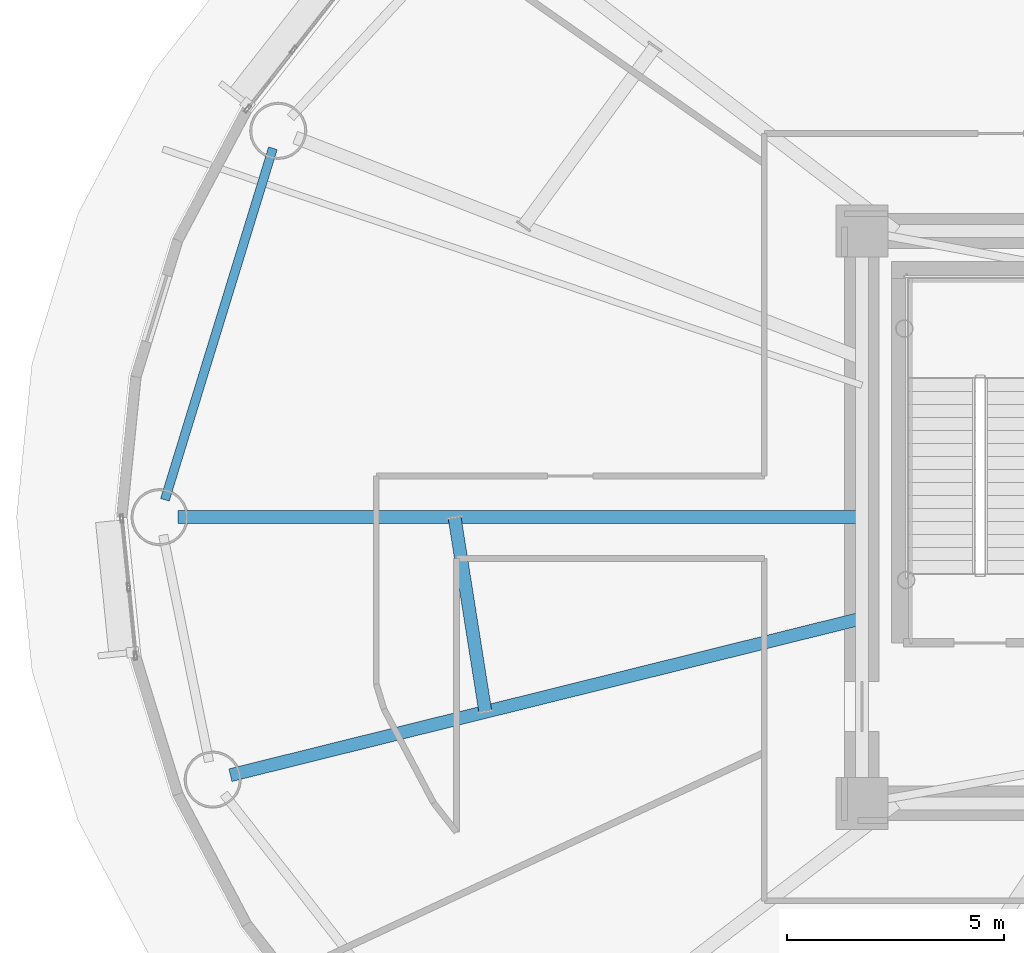
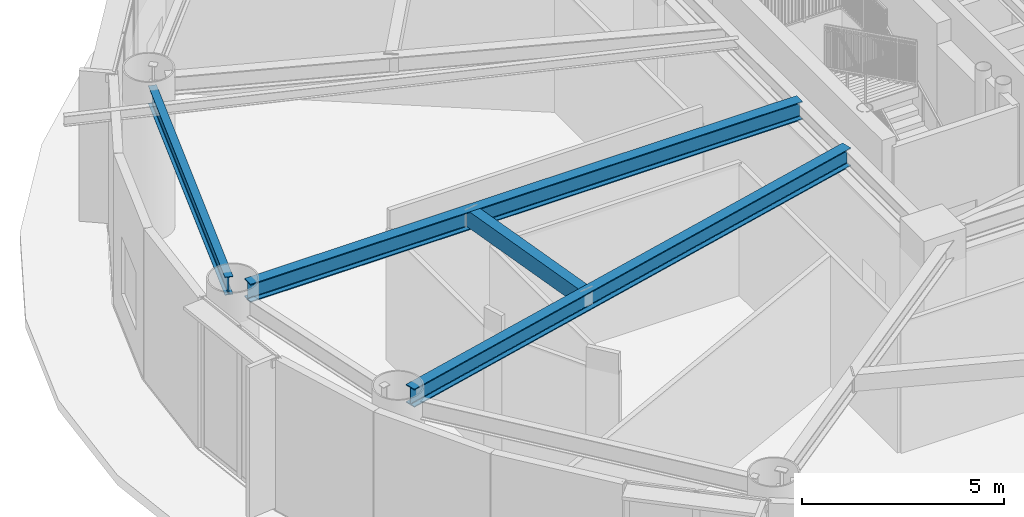
# One storey, part 9 of 38: 4 beams.
"""IFC4 building model written with IfcOpenShell, lengths in metres."""

from ifc_helpers import new_model, si_unit, direction, frame, origin, origin_2d, place, context, subcontext, project, spatial, hollow_rectangle, i_section, extrude, material, material_profile, profile_set, type_object, element, save


model = new_model("IFC4")

# Units and contexts
model_context = context("Model", 3, precision=1e-05, world=origin(), true_north=direction((0.0, 1.0)))
body_context = subcontext(model_context, "Body", "Model", "MODEL_VIEW")
ifc_project = project(units=[si_unit("LENGTHUNIT", "METRE"), si_unit("AREAUNIT", "SQUARE_METRE"), si_unit("VOLUMEUNIT", "CUBIC_METRE"), si_unit("PLANEANGLEUNIT", "RADIAN"), si_unit("MASSUNIT", "GRAM", prefix="KILO")], contexts=[model_context])

# Site, building, storey
site_placement = place(None, origin())
site = spatial("IfcSite", under=ifc_project, at=site_placement, CompositionType="ELEMENT")
building_placement = place(site_placement, origin())
building = spatial("IfcBuilding", under=site, at=building_placement, Name="Linh Dai School and Residence Tower", CompositionType="ELEMENT")
storey_placement = place(building_placement, frame((0.0, 0.0, 151.35009765625)))
storey = spatial("IfcBuildingStorey", under=building, at=storey_placement, Name="L36", CompositionType="ELEMENT", Elevation=151.35009765625)

# Beams
ifc_material = material(Name="Structural Steel S355JR", Category="steel")
ifc_material_profile_1 = material_profile(ifc_material, hollow_rectangle(XDim=0.300048828125, YDim=0.5, WallThickness=0.01611328125, at=origin_2d()), Name="RHS 500x300x16")
ifc_profile_set_1 = profile_set([ifc_material_profile_1], Name="Structural Steel S355JR")
beam_type_1 = type_object("IfcBeamType", Name="BM-BX5", PredefinedType="BEAM", material=ifc_profile_set_1)
beam_1_placement = place(storey_placement, frame((17.204833984375, 26.9951171875, 4.2998046875), z_axis=(0.15630517468, -0.987708809502, 0.0), x_axis=(0.987708809502, 0.15630517468, 0.0)))
element("IfcBeam", 1, at=beam_1_placement, inside=storey, type_object=beam_type_1, Name="L36 Secondary Circumferential Floor Beam 05", PredefinedType="BEAM", context=body_context, shape_type="SweptSolid", body=[
    extrude(hollow_rectangle(XDim=0.300048828125, YDim=0.5, WallThickness=0.01611328125, at=origin_2d()), origin(), (0.0, 0.0, 1.0), 4.537353515625),
])
ifc_material_profile_2 = material_profile(ifc_material, i_section(OverallWidth=0.2099609375, OverallDepth=0.550048828125, WebThickness=0.010986328125, FlangeThickness=0.01708984375, FilletRadius=0.02392578125, at=origin_2d()), Name="IPE 550")
ifc_profile_set_2 = profile_set([ifc_material_profile_2], Name="Structural Steel S355JR")
beam_type_2 = type_object("IfcBeamType", Name="BM-RB55", PredefinedType="BEAM", material=ifc_profile_set_2)
beam_2_placement = place(storey_placement, frame((13.01416015625, 35.509765625, 4.27490234375), z_axis=(-0.29363681283, -0.955917058196, 0.0), x_axis=(0.955917058196, -0.29363681283, 0.0)))
element("IfcBeam", 2, at=beam_2_placement, inside=storey, type_object=beam_type_2, Name="L36 Perimeter Elliptical Ring Beam 08", PredefinedType="BEAM", context=body_context, shape_type="SweptSolid", body=[
    extrude(i_section(OverallWidth=0.2099609375, OverallDepth=0.550048828125, WebThickness=0.010986328125, FlangeThickness=0.01708984375, FilletRadius=0.02392578125, at=origin_2d()), origin(), (0.0, 0.0, 1.0), 8.482421875),
])
ifc_material_profile_3 = material_profile(ifc_material, i_section(OverallWidth=0.300048828125, OverallDepth=0.550048828125, WebThickness=0.014892578125, FlangeThickness=0.029052734375, FilletRadius=0.027099609375, at=origin_2d()), Name="HEB 550")
ifc_profile_set_3 = profile_set([ifc_material_profile_3], Name="Structural Steel S355JR")
beam_type_3 = type_object("IfcBeamType", Name="BM-RG55", PredefinedType="BEAM", material=ifc_profile_set_3)
beam_3_placement = place(storey_placement, frame((26.60009765625, 27.0, 4.27490234375), z_axis=(-1.0, 0.0, 0.0), x_axis=(0.0, -1.0, 0.0)))
element("IfcBeam", 3, at=beam_3_placement, inside=storey, type_object=beam_type_3, Name="L36 Primary Radial Floor Girder 09", PredefinedType="BEAM", context=body_context, shape_type="SweptSolid", body=[
    extrude(i_section(OverallWidth=0.300048828125, OverallDepth=0.550048828125, WebThickness=0.014892578125, FlangeThickness=0.029052734375, FilletRadius=0.027099609375, at=origin_2d()), origin(), (0.0, 0.0, 1.0), 15.780029296875),
])
beam_4_placement = place(storey_placement, frame((26.60009765625, 24.66552734375, 4.27490234375), z_axis=(-0.970514508209, -0.24104271272, 0.0), x_axis=(0.24104271272, -0.970514508209, 0.0)))
element("IfcBeam", 4, at=beam_4_placement, inside=storey, type_object=beam_type_3, Name="L36 Primary Radial Floor Girder 10", PredefinedType="BEAM", context=body_context, shape_type="SweptSolid", body=[
    extrude(i_section(OverallWidth=0.300048828125, OverallDepth=0.550048828125, WebThickness=0.014892578125, FlangeThickness=0.029052734375, FilletRadius=0.027099609375, at=origin_2d()), origin(), (0.0, 0.0, 1.0), 15.009521484375),
])

save(model, "model.ifc")
